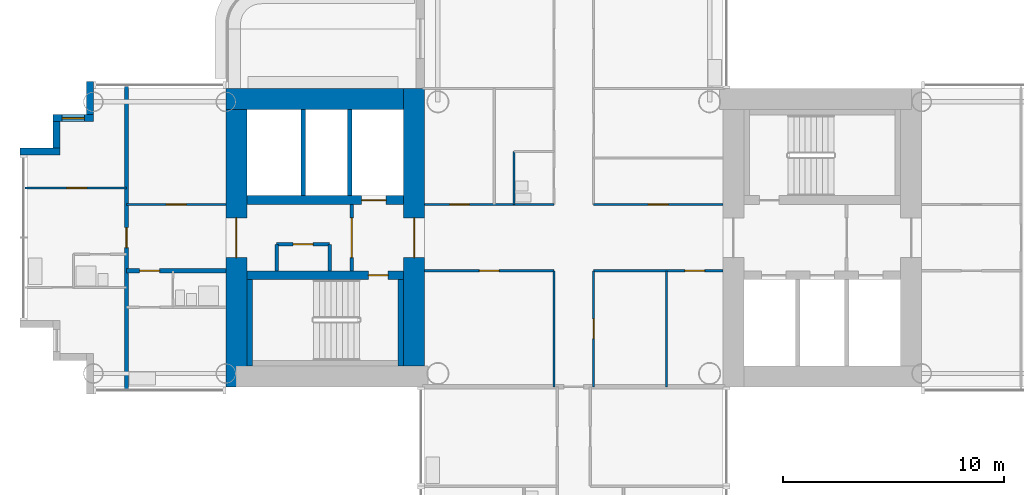
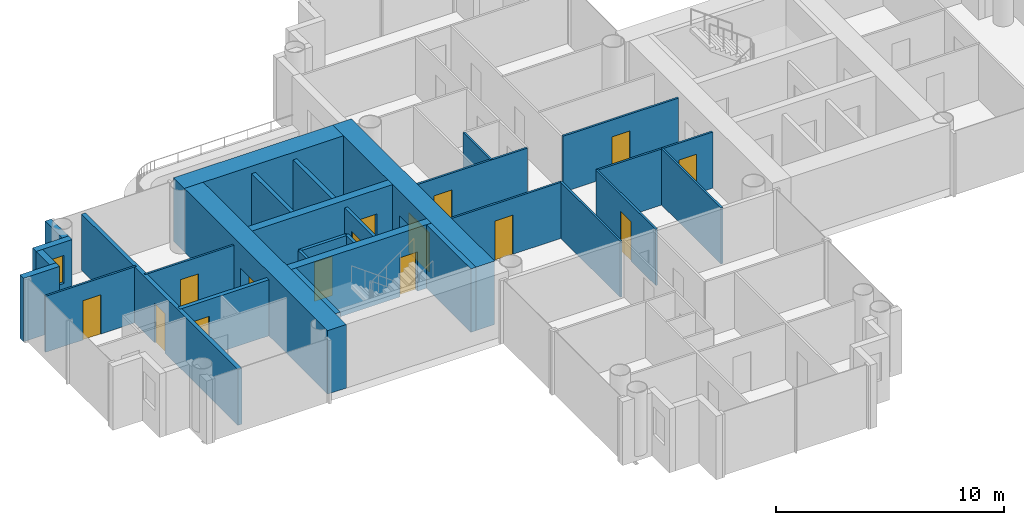
# One storey, part 10 of 22: 29 walls, 15 doors, 1 window, 16 openings.
"""IFC4 building model written with IfcOpenShell, lengths in metres."""

from ifc_helpers import new_model, si_unit, direction, frame, frame_2d, origin, place, context, subcontext, project, spatial, rectangle, extrude, material, layer, layer_set, type_object, element, fill, save


model = new_model("IFC4")

# Units and contexts
model_context = context("Model", 3, precision=1e-05, world=origin(), true_north=direction((0.0, 1.0)))
body_context = subcontext(model_context, "Body", "Model", "MODEL_VIEW")
ifc_project = project(units=[si_unit("LENGTHUNIT", "METRE"), si_unit("AREAUNIT", "SQUARE_METRE"), si_unit("VOLUMEUNIT", "CUBIC_METRE"), si_unit("PLANEANGLEUNIT", "RADIAN"), si_unit("MASSUNIT", "GRAM", prefix="KILO")], contexts=[model_context])

# Site, building, storey
site_placement = place(None, origin())
site = spatial("IfcSite", under=ifc_project, at=site_placement, CompositionType="ELEMENT")
building_placement = place(site_placement, origin())
building = spatial("IfcBuilding", under=site, at=building_placement, Name="Ipe Terrace Towers", CompositionType="ELEMENT")
storey_placement = place(building_placement, frame((0.0, 0.0, 90.199951171875)))
storey = spatial("IfcBuildingStorey", under=building, at=storey_placement, Name="L24", CompositionType="ELEMENT", Elevation=90.199951171875)

# Wall
ifc_material_1 = material(Name="Concrete C40/50 with buff precast cladding", Category="concrete")
ifc_layer_1 = layer(ifc_material_1, 0.320068359375)
ifc_layer_set_1 = layer_set([ifc_layer_1], Name="BUFF CLADDING WALL 320")
wall_type_1 = type_object("IfcWallType", Name="BUFF CLADDING WALL 320", PredefinedType="STANDARD", material=ifc_layer_set_1)
wall_1_placement = place(storey_placement, frame((-57.909912109375, 7.070068359375, -0.300048828125), z_axis=(0.0, 0.0, 1.0), x_axis=(0.0, -1.0, 0.0)))
element("IfcWall", 1, at=wall_1_placement, inside=storey, type_object=wall_type_1, Name="T1-W-L24-47a wall", PredefinedType="STANDARD", context=body_context, shape_type="SweptSolid", body=[
    extrude(rectangle(XDim=1.5, YDim=0.320068359375, at=frame_2d((0.75, 0.0))), origin(), (0.0, 0.0, 1.0), 3.400146484375),
])

# Wall, opening, window
wall_2_placement = place(storey_placement, frame((-57.75, 5.409912109375, -0.300048828125), z_axis=(0.0, 0.0, 1.0), x_axis=(-1.0, 0.0, 0.0)))
wall_2 = element("IfcWall", 2, at=wall_2_placement, inside=storey, type_object=wall_type_1, Name="T1-W-L24-48a wall", PredefinedType="STANDARD", context=body_context, shape_type="SweptSolid", body=[
    extrude(rectangle(XDim=1.820068359375, YDim=0.320068359375, at=frame_2d((0.91015625, 0.0))), origin(), (0.0, 0.0, 1.0), 3.400146484375),
])
opening_1_placement = place(wall_2_placement, frame((0.409912109375, 0.0, 1.199951171875)))
opening_1 = element("IfcOpeningElement", 3, at=opening_1_placement, cuts=wall_2, Name="Opening T1-W-05-L24-04", PredefinedType="OPENING", context=body_context, shape_type="SweptSolid", body=[
    extrude(rectangle(XDim=1.0, YDim=1.5, at=frame_2d((0.5, 0.75))), frame((0.0, 0.169921875, 0.0), z_axis=(0.0, -1.0, 0.0), x_axis=(1.0, 0.0, 0.0)), (0.0, 0.0, 1.0), 0.340087890625),
])
ifc_material_2 = material(Name="Glass, clear laminated", Category="glass")
window_type = type_object("IfcWindowType", Name="DWELLING WINDOW 1000 x 1500", PartitioningType="SINGLE_PANEL", PredefinedType="WINDOW", material=ifc_material_2)
window_placement = place(opening_1_placement, origin())
window = element("IfcWindow", 4, at=window_placement, inside=storey, type_object=window_type, Name="W-05 window", OverallHeight=1.5, OverallWidth=1.0, PartitioningType="SINGLE_PANEL", PredefinedType="WINDOW", context=body_context, shape_type="SweptSolid", body=[
    extrude(rectangle(XDim=1.0, YDim=1.5, at=frame_2d((0.5, 0.75))), frame((0.0, 0.030029296875, 0.0), z_axis=(0.0, -1.0, 0.0), x_axis=(1.0, 0.0, 0.0)), (0.0, 0.0, 1.0), 0.06005859375),
])
fill(opening_1, window)

# Walls
wall_3_placement = place(storey_placement, frame((-59.409912109375, 5.25, -0.300048828125), z_axis=(0.0, 0.0, 1.0), x_axis=(0.0, -1.0, 0.0)))
element("IfcWall", 5, at=wall_3_placement, inside=storey, type_object=wall_type_1, Name="T1-W-L24-49a wall", PredefinedType="STANDARD", context=body_context, shape_type="SweptSolid", body=[
    extrude(rectangle(XDim=1.179931640625, YDim=0.320068359375, at=frame_2d((0.58984375, 0.0))), origin(), (0.0, 0.0, 1.0), 3.400146484375),
])
wall_4_placement = place(storey_placement, frame((-59.25, 3.909912109375, -0.300048828125), z_axis=(0.0, 0.0, 1.0), x_axis=(-1.0, 0.0, 0.0)))
element("IfcWall", 6, at=wall_4_placement, inside=storey, type_object=wall_type_1, Name="T1-W-L24-50a wall", PredefinedType="STANDARD", context=body_context, shape_type="SweptSolid", body=[
    extrude(rectangle(XDim=1.820068359375, YDim=0.320068359375, at=frame_2d((0.91015625, 0.0))), origin(), (0.0, 0.0, 1.0), 3.400146484375),
])
ifc_material_3 = material(Name="Gypsum board partition", Category="plasterboard")
ifc_layer_2 = layer(ifc_material_3, 0.10009765625)
ifc_layer_set_2 = layer_set([ifc_layer_2], Name="Gypsum board partition 100 mm")
wall_type_2 = type_object("IfcWallType", Name="Gypsum board partition 100 mm", PredefinedType="PARTITIONING", material=ifc_layer_set_2)
wall_5_placement = place(storey_placement, frame((-38.699951171875, 1.5, 0.0), z_axis=(0.0, 0.0, 1.0), x_axis=(0.0, 1.0, 0.0)))
element("IfcWall", 7, at=wall_5_placement, inside=storey, type_object=wall_type_2, Name="Gypsum board partition T1 L24 W05", PredefinedType="PARTITIONING", context=body_context, shape_type="SweptSolid", body=[
    extrude(rectangle(XDim=2.39990234375, YDim=0.10009765625, at=frame_2d((1.199951171875, 0.0))), origin(), (0.0, 0.0, 1.0), 3.0),
])
wall_6_placement = place(storey_placement, frame((-36.89990234375, -6.75, 0.0), z_axis=(0.0, 0.0, 1.0), x_axis=(0.0, 1.0, 0.0)))
element("IfcWall", 8, at=wall_6_placement, inside=storey, type_object=wall_type_2, Name="Gypsum board partition T1 L24 W07", PredefinedType="PARTITIONING", context=body_context, shape_type="SweptSolid", body=[
    extrude(rectangle(XDim=5.25, YDim=0.10009765625, at=frame_2d((2.625, 0.0))), origin(), (0.0, 0.0, 1.0), 3.0),
])

# Wall, opening, door
wall_7_placement = place(storey_placement, frame((-35.10009765625, -6.75, 0.0), z_axis=(0.0, 0.0, 1.0), x_axis=(0.0, 1.0, 0.0)))
wall_7 = element("IfcWall", 9, at=wall_7_placement, inside=storey, type_object=wall_type_2, Name="Gypsum board partition T1 L24 W11", PredefinedType="PARTITIONING", context=body_context, shape_type="SweptSolid", body=[
    extrude(rectangle(XDim=5.25, YDim=0.10009765625, at=frame_2d((2.625, 0.0))), origin(), (0.0, 0.0, 1.0), 3.0),
])
opening_2_placement = place(wall_7_placement, frame((2.175048828125, 0.0, 0.0)))
opening_2 = element("IfcOpeningElement", 10, at=opening_2_placement, cuts=wall_7, Name="Opening T1-Z2C-07", PredefinedType="OPENING", context=body_context, shape_type="SweptSolid", body=[
    extrude(rectangle(XDim=0.89990234375, YDim=2.10009765625, at=frame_2d((0.449951171875, 1.050048828125))), frame((0.0, 0.06005859375, 0.0), z_axis=(0.0, -1.0, 0.0), x_axis=(1.0, 0.0, 0.0)), (0.0, 0.0, 1.0), 0.1201171875),
])
ifc_material_4 = material(Name="Timber door leaf", Category="wood")
door_type_1 = type_object("IfcDoorType", Name="Lounge door 900 x 2100", OperationType="NOTDEFINED", PredefinedType="DOOR", material=ifc_material_4)
door_1_placement = place(opening_2_placement, origin())
door_1 = element("IfcDoor", 11, at=door_1_placement, inside=storey, type_object=door_type_1, Name="Lounge door T1-Z2C-07", OperationType="SINGLE_SWING_RIGHT", OverallHeight=2.10009765625, OverallWidth=0.89990234375, PredefinedType="DOOR", context=body_context, shape_type="SweptSolid", body=[
    extrude(rectangle(XDim=0.89990234375, YDim=2.10009765625, at=frame_2d((0.449951171875, 1.050048828125))), frame((0.0, 0.02490234375, 0.0), z_axis=(0.0, -1.0, 0.0), x_axis=(1.0, 0.0, 0.0)), (0.0, 0.0, 1.0), 0.050048828125),
])
fill(opening_2, door_1)

# Wall
wall_8_placement = place(storey_placement, frame((-31.800048828125, -6.75, 0.0), z_axis=(0.0, 0.0, 1.0), x_axis=(0.0, 1.0, 0.0)))
element("IfcWall", 12, at=wall_8_placement, inside=storey, type_object=wall_type_2, Name="Gypsum board partition T1 L24 W14", PredefinedType="PARTITIONING", context=body_context, shape_type="SweptSolid", body=[
    extrude(rectangle(XDim=5.25, YDim=0.10009765625, at=frame_2d((2.625, 0.0))), origin(), (0.0, 0.0, 1.0), 3.0),
])

# Wall, opening, door
wall_9_placement = place(storey_placement, frame((-42.75, -1.5, 0.0), z_axis=(0.0, 0.0, 1.0), x_axis=(1.0, 0.0, 0.0)))
wall_9 = element("IfcWall", 13, at=wall_9_placement, inside=storey, type_object=wall_type_2, Name="Gypsum board partition T1 L24 W24", PredefinedType="PARTITIONING", context=body_context, shape_type="SweptSolid", body=[
    extrude(rectangle(XDim=5.85009765625, YDim=0.10009765625, at=frame_2d((2.925048828125, 0.0))), origin(), (0.0, 0.0, 1.0), 3.0),
])
opening_3_placement = place(wall_9_placement, frame((2.47509765625, 0.0, 0.0)))
opening_3 = element("IfcOpeningElement", 14, at=opening_3_placement, cuts=wall_9, Name="Opening T1-Z2C-06", PredefinedType="OPENING", context=body_context, shape_type="SweptSolid", body=[
    extrude(rectangle(XDim=0.89990234375, YDim=2.10009765625, at=frame_2d((0.449951171875, 1.050048828125))), frame((0.0, 0.06005859375, 0.0), z_axis=(0.0, -1.0, 0.0), x_axis=(1.0, 0.0, 0.0)), (0.0, 0.0, 1.0), 0.1201171875),
])
door_2_placement = place(opening_3_placement, origin())
door_2 = element("IfcDoor", 15, at=door_2_placement, inside=storey, type_object=door_type_1, Name="Lounge door T1-Z2C-06", OperationType="SINGLE_SWING_LEFT", OverallHeight=2.10009765625, OverallWidth=0.89990234375, PredefinedType="DOOR", context=body_context, shape_type="SweptSolid", body=[
    extrude(rectangle(XDim=0.89990234375, YDim=2.10009765625, at=frame_2d((0.449951171875, 1.050048828125))), frame((0.0, 0.02490234375, 0.0), z_axis=(0.0, -1.0, 0.0), x_axis=(1.0, 0.0, 0.0)), (0.0, 0.0, 1.0), 0.050048828125),
])
fill(opening_3, door_2)

wall_10_placement = place(storey_placement, frame((-35.10009765625, -1.5, 0.0), z_axis=(0.0, 0.0, 1.0), x_axis=(1.0, 0.0, 0.0)))
wall_10 = element("IfcWall", 16, at=wall_10_placement, inside=storey, type_object=wall_type_2, Name="Gypsum board partition T1 L24 W25", PredefinedType="PARTITIONING", context=body_context, shape_type="SweptSolid", body=[
    extrude(rectangle(XDim=5.85009765625, YDim=0.10009765625, at=frame_2d((2.925048828125, 0.0))), origin(), (0.0, 0.0, 1.0), 3.0),
])
opening_4_placement = place(wall_10_placement, frame((4.125, 0.0, 0.0)))
opening_4 = element("IfcOpeningElement", 17, at=opening_4_placement, cuts=wall_10, Name="Opening T1-Z2C-08", PredefinedType="OPENING", context=body_context, shape_type="SweptSolid", body=[
    extrude(rectangle(XDim=0.89990234375, YDim=2.10009765625, at=frame_2d((0.449951171875, 1.050048828125))), frame((0.0, 0.06005859375, 0.0), z_axis=(0.0, -1.0, 0.0), x_axis=(1.0, 0.0, 0.0)), (0.0, 0.0, 1.0), 0.1201171875),
])
door_3_placement = place(opening_4_placement, origin())
door_3 = element("IfcDoor", 18, at=door_3_placement, inside=storey, type_object=door_type_1, Name="Lounge door T1-Z2C-08", OperationType="SINGLE_SWING_RIGHT", OverallHeight=2.10009765625, OverallWidth=0.89990234375, PredefinedType="DOOR", context=body_context, shape_type="SweptSolid", body=[
    extrude(rectangle(XDim=0.89990234375, YDim=2.10009765625, at=frame_2d((0.449951171875, 1.050048828125))), frame((0.0, 0.02490234375, 0.0), z_axis=(0.0, -1.0, 0.0), x_axis=(1.0, 0.0, 0.0)), (0.0, 0.0, 1.0), 0.050048828125),
])
fill(opening_4, door_3)

wall_11_placement = place(storey_placement, frame((-56.25, 1.5, 0.0), z_axis=(0.0, 0.0, 1.0), x_axis=(1.0, 0.0, 0.0)))
wall_11 = element("IfcWall", 19, at=wall_11_placement, inside=storey, type_object=wall_type_2, Name="Gypsum board partition T1 L24 W29", PredefinedType="PARTITIONING", context=body_context, shape_type="SweptSolid", body=[
    extrude(rectangle(XDim=4.5, YDim=0.10009765625, at=frame_2d((2.25, 0.0))), origin(), (0.0, 0.0, 1.0), 3.0),
])
opening_5_placement = place(wall_11_placement, frame((1.800048828125, 0.0, 0.0)))
opening_5 = element("IfcOpeningElement", 20, at=opening_5_placement, cuts=wall_11, Name="Opening T1-Z2C-28", PredefinedType="OPENING", context=body_context, shape_type="SweptSolid", body=[
    extrude(rectangle(XDim=0.89990234375, YDim=2.10009765625, at=frame_2d((0.449951171875, 1.050048828125))), frame((0.0, 0.06005859375, 0.0), z_axis=(0.0, -1.0, 0.0), x_axis=(1.0, 0.0, 0.0)), (0.0, 0.0, 1.0), 0.1201171875),
])
door_4_placement = place(opening_5_placement, origin())
door_4 = element("IfcDoor", 21, at=door_4_placement, inside=storey, type_object=door_type_1, Name="Lounge door T1-Z2C-28", OperationType="SINGLE_SWING_LEFT", OverallHeight=2.10009765625, OverallWidth=0.89990234375, PredefinedType="DOOR", context=body_context, shape_type="SweptSolid", body=[
    extrude(rectangle(XDim=0.89990234375, YDim=2.10009765625, at=frame_2d((0.449951171875, 1.050048828125))), frame((0.0, 0.02490234375, 0.0), z_axis=(0.0, -1.0, 0.0), x_axis=(1.0, 0.0, 0.0)), (0.0, 0.0, 1.0), 0.050048828125),
])
fill(opening_5, door_4)

wall_12_placement = place(storey_placement, frame((-42.75, 1.5, 0.0), z_axis=(0.0, 0.0, 1.0), x_axis=(1.0, 0.0, 0.0)))
wall_12 = element("IfcWall", 22, at=wall_12_placement, inside=storey, type_object=wall_type_2, Name="Gypsum board partition T1 L24 W30", PredefinedType="PARTITIONING", context=body_context, shape_type="SweptSolid", body=[
    extrude(rectangle(XDim=5.85009765625, YDim=0.10009765625, at=frame_2d((2.925048828125, 0.0))), origin(), (0.0, 0.0, 1.0), 3.0),
])
opening_6_placement = place(wall_12_placement, frame((1.125, 0.0, 0.0)))
opening_6 = element("IfcOpeningElement", 23, at=opening_6_placement, cuts=wall_12, Name="Opening T1-Z2C-05", PredefinedType="OPENING", context=body_context, shape_type="SweptSolid", body=[
    extrude(rectangle(XDim=0.89990234375, YDim=2.10009765625, at=frame_2d((0.449951171875, 1.050048828125))), frame((0.0, 0.06005859375, 0.0), z_axis=(0.0, -1.0, 0.0), x_axis=(1.0, 0.0, 0.0)), (0.0, 0.0, 1.0), 0.1201171875),
])
door_5_placement = place(opening_6_placement, origin())
door_5 = element("IfcDoor", 24, at=door_5_placement, inside=storey, type_object=door_type_1, Name="Lounge door T1-Z2C-05", OperationType="SINGLE_SWING_RIGHT", OverallHeight=2.10009765625, OverallWidth=0.89990234375, PredefinedType="DOOR", context=body_context, shape_type="SweptSolid", body=[
    extrude(rectangle(XDim=0.89990234375, YDim=2.10009765625, at=frame_2d((0.449951171875, 1.050048828125))), frame((0.0, 0.02490234375, 0.0), z_axis=(0.0, -1.0, 0.0), x_axis=(1.0, 0.0, 0.0)), (0.0, 0.0, 1.0), 0.050048828125),
])
fill(opening_6, door_5)

wall_13_placement = place(storey_placement, frame((-35.10009765625, 1.5, 0.0), z_axis=(0.0, 0.0, 1.0), x_axis=(1.0, 0.0, 0.0)))
wall_13 = element("IfcWall", 25, at=wall_13_placement, inside=storey, type_object=wall_type_2, Name="Gypsum board partition T1 L24 W31", PredefinedType="PARTITIONING", context=body_context, shape_type="SweptSolid", body=[
    extrude(rectangle(XDim=5.85009765625, YDim=0.10009765625, at=frame_2d((2.925048828125, 0.0))), origin(), (0.0, 0.0, 1.0), 3.0),
])
opening_7_placement = place(wall_13_placement, frame((2.47509765625, 0.0, 0.0)))
opening_7 = element("IfcOpeningElement", 26, at=opening_7_placement, cuts=wall_13, Name="Opening T1-Z2C-02", PredefinedType="OPENING", context=body_context, shape_type="SweptSolid", body=[
    extrude(rectangle(XDim=0.89990234375, YDim=2.10009765625, at=frame_2d((0.449951171875, 1.050048828125))), frame((0.0, 0.06005859375, 0.0), z_axis=(0.0, -1.0, 0.0), x_axis=(1.0, 0.0, 0.0)), (0.0, 0.0, 1.0), 0.1201171875),
])
door_6_placement = place(opening_7_placement, origin())
door_6 = element("IfcDoor", 27, at=door_6_placement, inside=storey, type_object=door_type_1, Name="Lounge door T1-Z2C-02", OperationType="SINGLE_SWING_LEFT", OverallHeight=2.10009765625, OverallWidth=0.89990234375, PredefinedType="DOOR", context=body_context, shape_type="SweptSolid", body=[
    extrude(rectangle(XDim=0.89990234375, YDim=2.10009765625, at=frame_2d((0.449951171875, 1.050048828125))), frame((0.0, 0.02490234375, 0.0), z_axis=(0.0, -1.0, 0.0), x_axis=(1.0, 0.0, 0.0)), (0.0, 0.0, 1.0), 0.050048828125),
])
fill(opening_7, door_6)

wall_14_placement = place(storey_placement, frame((-60.85009765625, 2.25, 0.0), z_axis=(0.0, 0.0, 1.0), x_axis=(1.0, 0.0, 0.0)))
wall_14 = element("IfcWall", 28, at=wall_14_placement, inside=storey, type_object=wall_type_2, Name="Gypsum board partition T1 L24 W33", PredefinedType="PARTITIONING", context=body_context, shape_type="SweptSolid", body=[
    extrude(rectangle(XDim=4.60009765625, YDim=0.10009765625, at=frame_2d((2.300048828125, 0.0))), origin(), (0.0, 0.0, 1.0), 3.0),
])
opening_8_placement = place(wall_14_placement, frame((1.89990234375, 0.0, 0.0)))
opening_8 = element("IfcOpeningElement", 29, at=opening_8_placement, cuts=wall_14, Name="Opening T1-Z2C-32", PredefinedType="OPENING", context=body_context, shape_type="SweptSolid", body=[
    extrude(rectangle(XDim=0.89990234375, YDim=2.10009765625, at=frame_2d((0.449951171875, 1.050048828125))), frame((0.0, 0.06005859375, 0.0), z_axis=(0.0, -1.0, 0.0), x_axis=(1.0, 0.0, 0.0)), (0.0, 0.0, 1.0), 0.1201171875),
])
ifc_material_5 = material(Name="Timber door leaf", Category="wood")
door_type_2 = type_object("IfcDoorType", Name="Bedroom door 900 x 2100", OperationType="NOTDEFINED", PredefinedType="DOOR", material=ifc_material_5)
door_7_placement = place(opening_8_placement, origin())
door_7 = element("IfcDoor", 30, at=door_7_placement, inside=storey, type_object=door_type_2, Name="Bedroom door T1-Z2C-32", OperationType="SINGLE_SWING_LEFT", OverallHeight=2.10009765625, OverallWidth=0.89990234375, PredefinedType="DOOR", context=body_context, shape_type="SweptSolid", body=[
    extrude(rectangle(XDim=0.89990234375, YDim=2.10009765625, at=frame_2d((0.449951171875, 1.050048828125))), frame((0.0, 0.02490234375, 0.0), z_axis=(0.0, -1.0, 0.0), x_axis=(1.0, 0.0, 0.0)), (0.0, 0.0, 1.0), 0.050048828125),
])
fill(opening_8, door_7)

ifc_material_6 = material(Name="Gypsum board partition", Category="plasterboard")
ifc_layer_3 = layer(ifc_material_6, 0.14990234375)
ifc_layer_set_3 = layer_set([ifc_layer_3], Name="Gypsum board partition 150 mm")
wall_type_3 = type_object("IfcWallType", Name="Gypsum board partition 150 mm", PredefinedType="PARTITIONING", material=ifc_layer_set_3)
wall_15_placement = place(storey_placement, frame((-46.050048828125, 1.5, 0.0), z_axis=(0.0, 0.0, 1.0), x_axis=(0.0, -1.0, 0.0)))
wall_15 = element("IfcWall", 31, at=wall_15_placement, inside=storey, type_object=wall_type_3, Name="Gypsum board partition T1 L24 t1c2-lobby-wall", PredefinedType="PARTITIONING", context=body_context, shape_type="SweptSolid", body=[
    extrude(rectangle(XDim=3.0, YDim=0.14990234375, at=frame_2d((1.5, 0.0))), origin(), (0.0, 0.0, 1.0), 3.0),
])
opening_9_placement = place(wall_15_placement, frame((0.60009765625, 0.0, 0.0)))
opening_9 = element("IfcOpeningElement", 32, at=opening_9_placement, cuts=wall_15, Name="Opening T1C2-VD", PredefinedType="OPENING", context=body_context, shape_type="SweptSolid", body=[
    extrude(rectangle(XDim=1.800048828125, YDim=2.10009765625, at=frame_2d((0.89990234375, 1.050048828125))), frame((0.0, 0.0849609375, 0.0), z_axis=(0.0, -1.0, 0.0), x_axis=(1.0, 0.0, 0.0)), (0.0, 0.0, 1.0), 0.169921875),
])
ifc_material_7 = material(Name="Fire-rated timber door leaf", Category="wood")
door_type_3 = type_object("IfcDoorType", Name="Lobby door 1800 x 2100 FD60", OperationType="NOTDEFINED", PredefinedType="DOOR", material=ifc_material_7)
door_8_placement = place(opening_9_placement, origin())
door_8 = element("IfcDoor", 33, at=door_8_placement, inside=storey, type_object=door_type_3, Name="Lobby door T1C2-VD", OperationType="SINGLE_SWING_LEFT", OverallHeight=2.10009765625, OverallWidth=1.800048828125, PredefinedType="DOOR", context=body_context, shape_type="SweptSolid", body=[
    extrude(rectangle(XDim=1.800048828125, YDim=2.10009765625, at=frame_2d((0.89990234375, 1.050048828125))), frame((0.0, 0.02490234375, 0.0), z_axis=(0.0, -1.0, 0.0), x_axis=(1.0, 0.0, 0.0)), (0.0, 0.0, 1.0), 0.050048828125),
])
fill(opening_9, door_8)

wall_16_placement = place(storey_placement, frame((-47.050048828125, -0.300048828125, 0.0), z_axis=(0.0, 0.0, 1.0), x_axis=(-1.0, 0.0, 0.0)))
wall_16 = element("IfcWall", 34, at=wall_16_placement, inside=storey, type_object=wall_type_3, Name="Gypsum board partition T1 L24 t1c2-cup-n-f", PredefinedType="PARTITIONING", context=body_context, shape_type="SweptSolid", body=[
    extrude(rectangle(XDim=2.39990234375, YDim=0.14990234375, at=frame_2d((1.199951171875, 0.0))), origin(), (0.0, 0.0, 1.0), 3.0),
])
opening_10_placement = place(wall_16_placement, frame((0.75, 0.0, 0.0)))
opening_10 = element("IfcOpeningElement", 35, at=opening_10_placement, cuts=wall_16, Name="Opening T1C2-SR", PredefinedType="OPENING", context=body_context, shape_type="SweptSolid", body=[
    extrude(rectangle(XDim=0.89990234375, YDim=2.10009765625, at=frame_2d((0.449951171875, 1.050048828125))), frame((0.0, 0.0849609375, 0.0), z_axis=(0.0, -1.0, 0.0), x_axis=(1.0, 0.0, 0.0)), (0.0, 0.0, 1.0), 0.169921875),
])
ifc_material_8 = material(Name="Fire-rated timber door leaf", Category="wood")
door_type_4 = type_object("IfcDoorType", Name="Service door 900 x 2100 FD60", OperationType="NOTDEFINED", PredefinedType="DOOR", material=ifc_material_8)
door_9_placement = place(opening_10_placement, origin())
door_9 = element("IfcDoor", 36, at=door_9_placement, inside=storey, type_object=door_type_4, Name="Service door T1C2-SR", OperationType="SINGLE_SWING_LEFT", OverallHeight=2.10009765625, OverallWidth=0.89990234375, PredefinedType="DOOR", context=body_context, shape_type="SweptSolid", body=[
    extrude(rectangle(XDim=0.89990234375, YDim=2.10009765625, at=frame_2d((0.449951171875, 1.050048828125))), frame((0.0, 0.02490234375, 0.0), z_axis=(0.0, -1.0, 0.0), x_axis=(1.0, 0.0, 0.0)), (0.0, 0.0, 1.0), 0.050048828125),
])
fill(opening_10, door_9)

# Walls
for number, where, z_axis, x_axis, name in (
    (37, (-47.050048828125, -0.300048828125, 0.0), (0.0, 0.0, 1.0), (0.0, -1.0, 0.0), "Gypsum board partition T1 L24 t1c2-cup-n-a"),
    (38, (-49.449951171875, -0.300048828125, 0.0), (0.0, 0.0, 1.0), (0.0, -1.0, 0.0), "Gypsum board partition T1 L24 t1c2-cup-n-b"),
):
    element("IfcWall", number, at=place(storey_placement, frame(where, z_axis=z_axis, x_axis=x_axis)), inside=storey, type_object=wall_type_3, Name=name, PredefinedType="PARTITIONING", context=body_context, shape_type="SweptSolid", body=[
        extrude(rectangle(XDim=1.199951171875, YDim=0.14990234375, at=frame_2d((0.60009765625, 0.0))), origin(), (0.0, 0.0, 1.0), 3.0),
    ])
ifc_material_9 = material(Name="Gypsum board party wall", Category="plasterboard")
ifc_layer_4 = layer(ifc_material_9, 0.199951171875)
ifc_layer_set_4 = layer_set([ifc_layer_4], Name="Gypsum board party wall 200 mm")
wall_type_4 = type_object("IfcWallType", Name="Gypsum board party wall 200 mm", PredefinedType="SOLIDWALL", material=ifc_layer_set_4)
for number, where, z_axis, x_axis, name in (
    (39, (-46.14990234375, 5.800048828125, 0.0), (0.0, 0.0, 1.0), (0.0, -1.0, 0.0), "Gypsum board party wall T1 L24 t1c2-shaft-div1"),
    (40, (-48.25, 5.800048828125, 0.0), (0.0, 0.0, 1.0), (0.0, -1.0, 0.0), "Gypsum board party wall T1 L24 t1c2-shaft-div2"),
):
    element("IfcWall", number, at=place(storey_placement, frame(where, z_axis=z_axis, x_axis=x_axis)), inside=storey, type_object=wall_type_4, Name=name, PredefinedType="SOLIDWALL", context=body_context, shape_type="SweptSolid", body=[
        extrude(rectangle(XDim=3.900146484375, YDim=0.199951171875, at=frame_2d((1.9501953125, 0.0))), origin(), (0.0, 0.0, 1.0), 3.0),
    ])

# Wall, opening, door
wall_17_placement = place(storey_placement, frame((-56.25, -6.85009765625, 0.0), z_axis=(0.0, 0.0, 1.0), x_axis=(0.0, 1.0, 0.0)))
wall_17 = element("IfcWall", 41, at=wall_17_placement, inside=storey, type_object=wall_type_4, Name="Gypsum board party wall T1 L24 W02", PredefinedType="SOLIDWALL", context=body_context, shape_type="SweptSolid", body=[
    extrude(rectangle(XDim=13.7001953125, YDim=0.199951171875, at=frame_2d((6.85009765625, 0.0))), origin(), (0.0, 0.0, 1.0), 3.0),
])
opening_11_placement = place(wall_17_placement, frame((6.39990234375, 0.0, 0.0)))
opening_11 = element("IfcOpeningElement", 42, at=opening_11_placement, cuts=wall_17, Name="Opening T1-Z2C-30", PredefinedType="OPENING", context=body_context, shape_type="SweptSolid", body=[
    extrude(rectangle(XDim=0.89990234375, YDim=2.10009765625, at=frame_2d((0.449951171875, 1.050048828125))), frame((0.0, 0.10986328125, 0.0), z_axis=(0.0, -1.0, 0.0), x_axis=(1.0, 0.0, 0.0)), (0.0, 0.0, 1.0), 0.219970703125),
])
ifc_material_10 = material(Name="Fire-rated timber door leaf", Category="wood")
door_type_5 = type_object("IfcDoorType", Name="Flat entrance door 900 x 2100 FD30S", OperationType="NOTDEFINED", PredefinedType="DOOR", material=ifc_material_10)
door_10_placement = place(opening_11_placement, origin())
door_10 = element("IfcDoor", 43, at=door_10_placement, inside=storey, type_object=door_type_5, Name="Flat entrance door T1-Z2C-30", OperationType="SINGLE_SWING_LEFT", OverallHeight=2.10009765625, OverallWidth=0.89990234375, PredefinedType="DOOR", context=body_context, shape_type="SweptSolid", body=[
    extrude(rectangle(XDim=0.89990234375, YDim=2.10009765625, at=frame_2d((0.449951171875, 1.050048828125))), frame((0.0, 0.02490234375, 0.0), z_axis=(0.0, -1.0, 0.0), x_axis=(1.0, 0.0, 0.0)), (0.0, 0.0, 1.0), 0.050048828125),
])
fill(opening_11, door_10)

wall_18_placement = place(storey_placement, frame((-56.25, -1.5, 0.0), z_axis=(0.0, 0.0, 1.0), x_axis=(1.0, 0.0, 0.0)))
wall_18 = element("IfcWall", 44, at=wall_18_placement, inside=storey, type_object=wall_type_4, Name="Gypsum board party wall T1 L24 W27", PredefinedType="SOLIDWALL", context=body_context, shape_type="SweptSolid", body=[
    extrude(rectangle(XDim=4.5, YDim=0.199951171875, at=frame_2d((2.25, 0.0))), origin(), (0.0, 0.0, 1.0), 3.0),
])
opening_12_placement = place(wall_18_placement, frame((0.60009765625, 0.0, 0.0)))
opening_12 = element("IfcOpeningElement", 45, at=opening_12_placement, cuts=wall_18, Name="Opening T1-Z2C-25", PredefinedType="OPENING", context=body_context, shape_type="SweptSolid", body=[
    extrude(rectangle(XDim=0.89990234375, YDim=2.10009765625, at=frame_2d((0.449951171875, 1.050048828125))), frame((0.0, 0.10986328125, 0.0), z_axis=(0.0, -1.0, 0.0), x_axis=(1.0, 0.0, 0.0)), (0.0, 0.0, 1.0), 0.219970703125),
])
door_11_placement = place(opening_12_placement, origin())
door_11 = element("IfcDoor", 46, at=door_11_placement, inside=storey, type_object=door_type_5, Name="Flat entrance door T1-Z2C-25", OperationType="SINGLE_SWING_LEFT", OverallHeight=2.10009765625, OverallWidth=0.89990234375, PredefinedType="DOOR", context=body_context, shape_type="SweptSolid", body=[
    extrude(rectangle(XDim=0.89990234375, YDim=2.10009765625, at=frame_2d((0.449951171875, 1.050048828125))), frame((0.0, 0.02490234375, 0.0), z_axis=(0.0, -1.0, 0.0), x_axis=(1.0, 0.0, 0.0)), (0.0, 0.0, 1.0), 0.050048828125),
])
fill(opening_12, door_11)

# Walls
ifc_material_11 = material(Name="Concrete C50/60", Category="concrete")
ifc_layer_5 = layer(ifc_material_11, 0.25)
ifc_layer_set_5 = layer_set([ifc_layer_5], Name="RW250 CORE INFILL WALL 250 C50-60")
wall_type_5 = type_object("IfcWallType", Name="RW250 CORE INFILL WALL 250 C50-60", PredefinedType="SHEAR", material=ifc_layer_set_5)
for number, where, z_axis, x_axis, name in (
    (47, (-50.675048828125, -1.89990234375, 0.0), (0.0, 0.0, 1.0), (0.0, -1.0, 0.0), "Core infill wall T1-C2-far"),
    (48, (-43.824951171875, -1.89990234375, 0.0), (0.0, 0.0, 1.0), (0.0, -1.0, 0.0), "Core infill wall T1-C2-near"),
):
    element("IfcWall", number, at=place(storey_placement, frame(where, z_axis=z_axis, x_axis=x_axis)), inside=storey, type_object=wall_type_5, Name=name, PredefinedType="SHEAR", context=body_context, shape_type="SweptSolid", body=[
        extrude(rectangle(XDim=3.900146484375, YDim=0.25, at=frame_2d((1.9501953125, 0.0))), origin(), (0.0, 0.0, 1.0), 3.400146484375),
    ])

# Wall, opening, door
ifc_material_12 = material(Name="Concrete C50/60", Category="concrete")
ifc_layer_6 = layer(ifc_material_12, 0.39990234375)
ifc_layer_set_6 = layer_set([ifc_layer_6], Name="RW400 CORE SPINE WALL 400 C50-60")
wall_type_6 = type_object("IfcWallType", Name="RW400 CORE SPINE WALL 400 C50-60", PredefinedType="SHEAR", material=ifc_layer_set_6)
wall_19_placement = place(storey_placement, frame((-50.800048828125, -1.699951171875, 0.0), z_axis=(0.0, 0.0, 1.0), x_axis=(1.0, 0.0, 0.0)))
wall_19 = element("IfcWall", 49, at=wall_19_placement, inside=storey, type_object=wall_type_6, Name="Core spine wall T1-C2-Z2-SW1", PredefinedType="SHEAR", context=body_context, shape_type="SweptSolid", body=[
    extrude(rectangle(XDim=7.10009765625, YDim=0.39990234375, at=frame_2d((3.550048828125, 0.0))), origin(), (0.0, 0.0, 1.0), 3.400146484375),
])
opening_13_placement = place(wall_19_placement, frame((5.5, 0.0, 0.0)))
opening_13 = element("IfcOpeningElement", 50, at=opening_13_placement, cuts=wall_19, Name="Opening T1C2-SD", PredefinedType="OPENING", context=body_context, shape_type="SweptSolid", body=[
    extrude(rectangle(XDim=0.89990234375, YDim=2.10009765625, at=frame_2d((0.449951171875, 1.050048828125))), frame((0.0, 0.2099609375, 0.0), z_axis=(0.0, -1.0, 0.0), x_axis=(1.0, 0.0, 0.0)), (0.0, 0.0, 1.0), 0.419921875),
])
ifc_material_13 = material(Name="Fire-rated timber door leaf", Category="wood")
door_type_6 = type_object("IfcDoorType", Name="Stair door 900 x 2100 FD60", OperationType="NOTDEFINED", PredefinedType="DOOR", material=ifc_material_13)
door_12_placement = place(opening_13_placement, origin())
door_12 = element("IfcDoor", 51, at=door_12_placement, inside=storey, type_object=door_type_6, Name="Stair door T1C2-SD", OperationType="SINGLE_SWING_RIGHT", OverallHeight=2.10009765625, OverallWidth=0.89990234375, PredefinedType="DOOR", context=body_context, shape_type="SweptSolid", body=[
    extrude(rectangle(XDim=0.89990234375, YDim=2.10009765625, at=frame_2d((0.449951171875, 1.050048828125))), frame((0.0, 0.02490234375, 0.0), z_axis=(0.0, -1.0, 0.0), x_axis=(1.0, 0.0, 0.0)), (0.0, 0.0, 1.0), 0.050048828125),
])
fill(opening_13, door_12)

wall_20_placement = place(storey_placement, frame((-50.800048828125, 1.699951171875, 0.0), z_axis=(0.0, 0.0, 1.0), x_axis=(1.0, 0.0, 0.0)))
wall_20 = element("IfcWall", 52, at=wall_20_placement, inside=storey, type_object=wall_type_6, Name="Core spine wall T1-C2-Z2-SW2", PredefinedType="SHEAR", context=body_context, shape_type="SweptSolid", body=[
    extrude(rectangle(XDim=7.10009765625, YDim=0.39990234375, at=frame_2d((3.550048828125, 0.0))), origin(), (0.0, 0.0, 1.0), 3.400146484375),
])
opening_14_placement = place(wall_20_placement, frame((5.199951171875, 0.0, 0.0)))
opening_14 = element("IfcOpeningElement", 53, at=opening_14_placement, cuts=wall_20, Name="Opening T1C2-LD1", PredefinedType="OPENING", context=body_context, shape_type="SweptSolid", body=[
    extrude(rectangle(XDim=1.10009765625, YDim=2.10009765625, at=frame_2d((0.550048828125, 1.050048828125))), frame((0.0, 0.2099609375, 0.0), z_axis=(0.0, -1.0, 0.0), x_axis=(1.0, 0.0, 0.0)), (0.0, 0.0, 1.0), 0.419921875),
])
ifc_material_14 = material(Name="Fire-rated timber door leaf", Category="wood")
door_type_7 = type_object("IfcDoorType", Name="Sliding door 1100 x 2100 FD60", OperationType="SLIDING_TO_LEFT", PredefinedType="DOOR", material=ifc_material_14)
door_13_placement = place(opening_14_placement, origin())
door_13 = element("IfcDoor", 54, at=door_13_placement, inside=storey, type_object=door_type_7, Name="Sliding door T1C2-LD1", OperationType="SLIDING_TO_LEFT", OverallHeight=2.10009765625, OverallWidth=1.10009765625, PredefinedType="DOOR", context=body_context, shape_type="SweptSolid", body=[
    extrude(rectangle(XDim=1.10009765625, YDim=2.10009765625, at=frame_2d((0.550048828125, 1.050048828125))), frame((0.0, 0.02490234375, 0.0), z_axis=(0.0, -1.0, 0.0), x_axis=(1.0, 0.0, 0.0)), (0.0, 0.0, 1.0), 0.050048828125),
])
fill(opening_14, door_13)

ifc_material_15 = material(Name="Concrete C50/60", Category="concrete")
ifc_layer_7 = layer(ifc_material_15, 0.949951171875)
ifc_layer_set_7 = layer_set([ifc_layer_7], Name="RW950 CORE WALL 950 C50-60")
wall_type_7 = type_object("IfcWallType", Name="RW950 CORE WALL 950 C50-60", PredefinedType="SHEAR", material=ifc_layer_set_7)
wall_21_placement = place(storey_placement, frame((-43.22509765625, -5.800048828125, 0.0), z_axis=(0.0, 0.0, 1.0), x_axis=(0.0, 1.0, 0.0)))
wall_21 = element("IfcWall", 55, at=wall_21_placement, inside=storey, type_object=wall_type_7, Name="Core wall T1-C2-Z2-W02", PredefinedType="SHEAR", context=body_context, shape_type="SweptSolid", body=[
    extrude(rectangle(XDim=12.550048828125, YDim=0.949951171875, at=frame_2d((6.27490234375, 0.0))), origin(), (0.0, 0.0, 1.0), 3.400146484375),
])
opening_15_placement = place(wall_21_placement, frame((4.89990234375, 0.0, 0.0)))
opening_15 = element("IfcOpeningElement", 56, at=opening_15_placement, cuts=wall_21, Name="Opening T1C2-ND", PredefinedType="OPENING", context=body_context, shape_type="SweptSolid", body=[
    extrude(rectangle(XDim=1.800048828125, YDim=2.10009765625, at=frame_2d((0.89990234375, 1.050048828125))), frame((0.0, 0.48486328125, 0.0), z_axis=(0.0, -1.0, 0.0), x_axis=(1.0, 0.0, 0.0)), (0.0, 0.0, 1.0), 0.969970703125),
])
ifc_material_16 = material(Name="Fire-rated timber door leaf", Category="wood")
door_type_8 = type_object("IfcDoorType", Name="Fire door 1800 x 2100 FD30S", OperationType="NOTDEFINED", PredefinedType="DOOR", material=ifc_material_16)
door_14_placement = place(opening_15_placement, origin())
door_14 = element("IfcDoor", 57, at=door_14_placement, inside=storey, type_object=door_type_8, Name="Fire door T1C2-ND", OperationType="SINGLE_SWING_LEFT", OverallHeight=2.10009765625, OverallWidth=1.800048828125, PredefinedType="DOOR", context=body_context, shape_type="SweptSolid", body=[
    extrude(rectangle(XDim=1.800048828125, YDim=2.10009765625, at=frame_2d((0.89990234375, 1.050048828125))), frame((0.0, 0.02490234375, 0.0), z_axis=(0.0, -1.0, 0.0), x_axis=(1.0, 0.0, 0.0)), (0.0, 0.0, 1.0), 0.050048828125),
])
fill(opening_15, door_14)

# Wall
wall_22_placement = place(storey_placement, frame((-43.699951171875, 6.27490234375, 0.0), z_axis=(0.0, 0.0, 1.0), x_axis=(-1.0, 0.0, 0.0)))
element("IfcWall", 58, at=wall_22_placement, inside=storey, type_object=wall_type_7, Name="Core wall T1-C2-Z2-W03", PredefinedType="SHEAR", context=body_context, shape_type="SweptSolid", body=[
    extrude(rectangle(XDim=8.050048828125, YDim=0.949951171875, at=frame_2d((4.02490234375, 0.0))), origin(), (0.0, 0.0, 1.0), 3.400146484375),
])

# Wall, opening, door
wall_23_placement = place(storey_placement, frame((-51.27490234375, 5.800048828125, 0.0), z_axis=(0.0, 0.0, 1.0), x_axis=(0.0, -1.0, 0.0)))
wall_23 = element("IfcWall", 59, at=wall_23_placement, inside=storey, type_object=wall_type_7, Name="Core wall T1-C2-Z2-W04", PredefinedType="SHEAR", context=body_context, shape_type="SweptSolid", body=[
    extrude(rectangle(XDim=12.550048828125, YDim=0.949951171875, at=frame_2d((6.27490234375, 0.0))), origin(), (0.0, 0.0, 1.0), 3.400146484375),
])
opening_16_placement = place(wall_23_placement, frame((4.89990234375, 0.0, 0.0)))
opening_16 = element("IfcOpeningElement", 60, at=opening_16_placement, cuts=wall_23, Name="Opening T1C2-FD", PredefinedType="OPENING", context=body_context, shape_type="SweptSolid", body=[
    extrude(rectangle(XDim=1.800048828125, YDim=2.10009765625, at=frame_2d((0.89990234375, 1.050048828125))), frame((0.0, 0.48486328125, 0.0), z_axis=(0.0, -1.0, 0.0), x_axis=(1.0, 0.0, 0.0)), (0.0, 0.0, 1.0), 0.969970703125),
])
door_15_placement = place(opening_16_placement, origin())
door_15 = element("IfcDoor", 61, at=door_15_placement, inside=storey, type_object=door_type_8, Name="Fire door T1C2-FD", OperationType="SINGLE_SWING_LEFT", OverallHeight=2.10009765625, OverallWidth=1.800048828125, PredefinedType="DOOR", context=body_context, shape_type="SweptSolid", body=[
    extrude(rectangle(XDim=1.800048828125, YDim=2.10009765625, at=frame_2d((0.89990234375, 1.050048828125))), frame((0.0, 0.02490234375, 0.0), z_axis=(0.0, -1.0, 0.0), x_axis=(1.0, 0.0, 0.0)), (0.0, 0.0, 1.0), 0.050048828125),
])
fill(opening_16, door_15)

save(model, "model.ifc")
